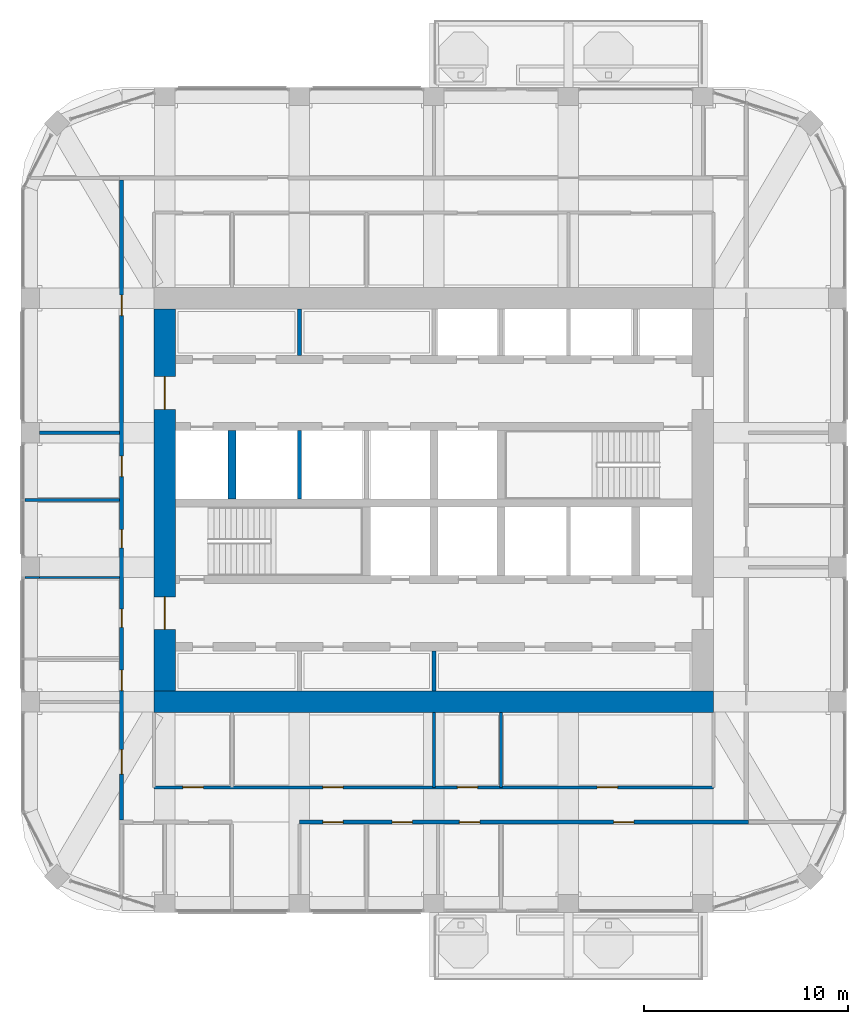
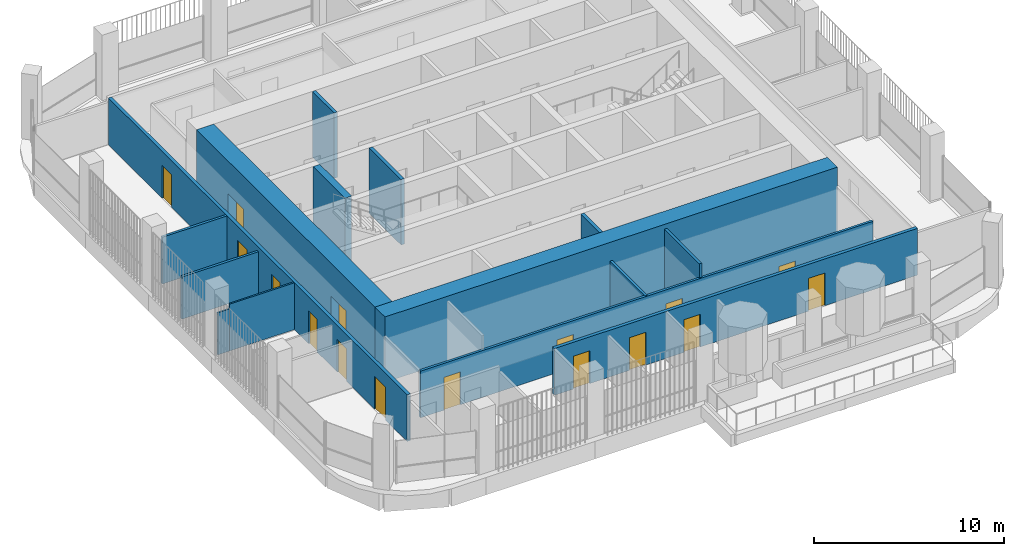
# One storey, part 14 of 21: 16 doors, 15 walls, 16 openings.
"""IFC4 building model written with IfcOpenShell, lengths in metres."""

import ifcopenshell
import ifcopenshell.guid

model = None  # the IFC model being written
_history = None  # IfcOwnerHistory: only IFC2X3 demands one
_inside = {}  # id of a spatial element -> (the spatial element, [elements in it])
_under = {}  # id of a project, library or spatial element -> (it, [spatial elements below it])
_declared = {}  # id of a project -> (the project, [libraries it declares])
_typed = {}  # id of a type object -> (the type object, [elements of that type])
_made_of = {}  # id of a material, layer set ... -> (it, [elements and type objects made of it])


def new_model(schema):
    """Start an empty IFC model of exactly this schema.

    Asked for "IFC4X3", IfcOpenShell would pick the latest addendum, in which some entities
    have other attributes; the version numbers below select the first issue.
    IFC2X3 requires an IfcOwnerHistory on every rooted entity: one is made here for all.
    """
    global model, _history
    if schema == "IFC4X3":
        model = ifcopenshell.file(schema_version=(4, 3, 0, 0))
    else:
        model = ifcopenshell.file(schema=schema)
    _inside.clear()
    _under.clear()
    _declared.clear()
    _typed.clear()
    _made_of.clear()
    _history = None
    if model.schema == "IFC2X3":
        org = make("IfcOrganization", Name="unknown")
        user = make(
            "IfcPersonAndOrganization",
            ThePerson=make("IfcPerson", FamilyName="unknown"),
            TheOrganization=org,
        )
        app = make(
            "IfcApplication",
            ApplicationDeveloper=org,
            Version="unknown",
            ApplicationFullName="unknown",
            ApplicationIdentifier="unknown",
        )
        _history = make(
            "IfcOwnerHistory",
            OwningUser=user,
            OwningApplication=app,
            ChangeAction="ADDED",
            CreationDate=0,
        )
    return model


def make(cls, **values):
    """One entity of the class cls with the attributes given. An attribute that is None is left unset."""
    return model.create_entity(
        cls, **{name: value for name, value in values.items() if value is not None}
    )


def rooted(cls, **values):
    """An entity with a GlobalId (a new one), such as an element, a storey or a relation."""
    return make(cls, GlobalId=ifcopenshell.guid.new(), OwnerHistory=_history, **values)


def si_unit(unit_type, name, prefix=None):
    """IfcSIUnit, for example si_unit("LENGTHUNIT", "METRE", prefix="MILLI")."""
    return make("IfcSIUnit", UnitType=unit_type, Prefix=prefix, Name=name)


def assignment(units):
    """IfcUnitAssignment: the units of a project."""
    return None if units is None else make("IfcUnitAssignment", Units=units)


def point(xyz):
    """IfcCartesianPoint."""
    return None if xyz is None else make("IfcCartesianPoint", Coordinates=xyz)


def direction(xyz):
    """IfcDirection."""
    return None if xyz is None else make("IfcDirection", DirectionRatios=xyz)


def frame(location, z_axis=None, x_axis=None):
    """IfcAxis2Placement3D, a coordinate frame: its origin and axes. An axis left out is left unset."""
    return make(
        "IfcAxis2Placement3D",
        Location=point(location),
        Axis=direction(z_axis),
        RefDirection=direction(x_axis),
    )


def frame_2d(location, x_axis=None):
    """IfcAxis2Placement2D, a coordinate frame in the plane: its origin and x axis."""
    return make(
        "IfcAxis2Placement2D", Location=point(location), RefDirection=direction(x_axis)
    )


def origin():
    """The frame at (0, 0, 0) with its axes left unset."""
    return frame((0.0, 0.0, 0.0))


def place(relative_to, where):
    """IfcLocalPlacement: puts the frame where relative to a parent placement (None: the world)."""
    return make(
        "IfcLocalPlacement", PlacementRelTo=relative_to, RelativePlacement=where
    )


def context(
    kind, dimensions, precision=None, world=None, true_north=None, identifier=None
):
    """IfcGeometricRepresentationContext, for example the 3D "Model" context."""
    return make(
        "IfcGeometricRepresentationContext",
        ContextIdentifier=identifier,
        ContextType=kind,
        CoordinateSpaceDimension=dimensions,
        Precision=precision,
        WorldCoordinateSystem=world,
        TrueNorth=true_north,
    )


def subcontext(parent, identifier, kind, view, scale=None):
    """IfcGeometricRepresentationSubContext, for example "Body" below "Model"."""
    return make(
        "IfcGeometricRepresentationSubContext",
        ContextIdentifier=identifier,
        ContextType=kind,
        ParentContext=parent,
        TargetScale=scale,
        TargetView=view,
    )


def project(units=None, contexts=None):
    """IfcProject with its units and contexts."""
    return rooted(
        "IfcProject",
        Name="project",
        RepresentationContexts=contexts,
        UnitsInContext=assignment(units),
    )


def spatial(cls, under=None, at=None, **own):
    """A site, building, storey or space (cls), placed at a placement, below another one or the project."""
    s = rooted(cls, ObjectPlacement=at, **own)
    if under is not None:
        _under.setdefault(under.id(), (under, []))[1].append(s)
    return s


def profile(cls, at=None, kind="AREA", **sizes):
    """A parametric profile (cls). Its sizes go by their IFC names, for example OverallWidth=200.0."""
    return make(cls, ProfileType=kind, Position=at, **sizes)


def rectangle(**sizes):
    """IfcRectangleProfileDef."""
    return profile("IfcRectangleProfileDef", **sizes)


def extrude(swept, where, along, depth):
    """IfcExtrudedAreaSolid: the profile swept, set in the frame where, extruded along a direction by depth."""
    return make(
        "IfcExtrudedAreaSolid",
        SweptArea=swept,
        Position=where,
        ExtrudedDirection=direction(along),
        Depth=depth,
    )


def shape(context_of_items, identifier, shape_type, items):
    """IfcShapeRepresentation: the items that make up one representation, for example the "Body"."""
    return make(
        "IfcShapeRepresentation",
        ContextOfItems=context_of_items,
        RepresentationIdentifier=identifier,
        RepresentationType=shape_type,
        Items=items,
    )


def material(Name=None, Category=None):
    """IfcMaterial."""
    return make("IfcMaterial", Name=Name, Category=Category)


def layer(
    of_material, thickness, ventilated=None, Name=None, Category=None, Priority=None
):
    """IfcMaterialLayer: one layer of a wall or slab, of a material (None: an air gap)."""
    return make(
        "IfcMaterialLayer",
        Material=of_material,
        LayerThickness=thickness,
        IsVentilated=ventilated,
        Name=Name,
        Category=Category,
        Priority=Priority,
    )


def layer_set(layers, Name=None):
    """IfcMaterialLayerSet."""
    return make("IfcMaterialLayerSet", MaterialLayers=layers, LayerSetName=Name)


def made_of(thing, what):
    """Note that an element or type object is made of a material, layer set ...; save() writes the relation."""
    if what is not None:
        _made_of.setdefault(what.id(), (what, []))[1].append(thing)
    return thing


def type_object(cls, material=None, **own):
    """A type object (cls), such as IfcWallType, which elements share."""
    return made_of(rooted(cls, **own), material)


def element(
    cls,
    number,
    at=None,
    inside=None,
    cuts=None,
    type_object=None,
    material=None,
    context=None,
    identifier="Body",
    shape_type=None,
    held_by="IfcProductDefinitionShape",
    body=None,
    shapes=None,
    **own,
):
    """One element of the class cls, such as IfcWall. Its Tag is "e" and its number.

    at: its placement. inside: the storey or other place that contains it. cuts: it is an
    opening in that element (IfcRelVoidsElement). A single representation is given by context,
    identifier, shape_type and body (its items); several are given by shapes. held_by: the class
    of the entity that holds the representations. save() writes the other relations.
    """
    e = rooted(cls, Tag="e%d" % number, ObjectPlacement=at, **own)
    if body is not None:
        shapes = [shape(context, identifier, shape_type, body)]
    if shapes is not None:
        e.Representation = make(held_by, Representations=shapes)
    if inside is not None:
        _inside.setdefault(inside.id(), (inside, []))[1].append(e)
    if cuts is not None:
        rooted(
            "IfcRelVoidsElement", RelatingBuildingElement=cuts, RelatedOpeningElement=e
        )
    if type_object is not None:
        _typed.setdefault(type_object.id(), (type_object, []))[1].append(e)
    return made_of(e, material)


def fill(opening, filler):
    """IfcRelFillsElement: the door or window that sits in an opening."""
    return rooted(
        "IfcRelFillsElement",
        RelatingOpeningElement=opening,
        RelatedBuildingElement=filler,
    )


def aggregate(whole, parts):
    """IfcRelAggregates: a whole, such as a stair, and the parts it consists of."""
    return rooted("IfcRelAggregates", RelatingObject=whole, RelatedObjects=parts)


def save(model, path):
    """Write the relations noted so far, then the file.

    IfcRelAggregates (storeys below a building ...), IfcRelContainedInSpatialStructure (elements
    in a storey), IfcRelDefinesByType, IfcRelAssociatesMaterial and IfcRelDeclares: one each for
    every whole, place, type object, material and project.
    """
    for whole, parts in _under.values():
        aggregate(whole, parts)
    for where, things in _inside.values():
        rooted(
            "IfcRelContainedInSpatialStructure",
            RelatedElements=things,
            RelatingStructure=where,
        )
    for kind, things in _typed.values():
        rooted("IfcRelDefinesByType", RelatedObjects=things, RelatingType=kind)
    for what, things in _made_of.values():
        rooted("IfcRelAssociatesMaterial", RelatedObjects=things, RelatingMaterial=what)
    for by, libraries in _declared.values():
        rooted("IfcRelDeclares", RelatingContext=by, RelatedDefinitions=libraries)
    model.write(path)


model = new_model("IFC4")

# Units and contexts
model_context = context("Model", 3, precision=1e-05, world=origin(), true_north=direction((0.0, 1.0)))
body_context = subcontext(model_context, "Body", "Model", "MODEL_VIEW")
ifc_project = project(units=[si_unit("LENGTHUNIT", "METRE"), si_unit("AREAUNIT", "SQUARE_METRE"), si_unit("VOLUMEUNIT", "CUBIC_METRE"), si_unit("PLANEANGLEUNIT", "RADIAN"), si_unit("MASSUNIT", "GRAM", prefix="KILO")], contexts=[model_context])

# Site, building, storey
site_placement = place(None, origin())
site = spatial("IfcSite", under=ifc_project, at=site_placement, CompositionType="ELEMENT")
building_placement = place(site_placement, origin())
building = spatial("IfcBuilding", under=site, at=building_placement, Name="Cobogo Forest Laboratory Tower", CompositionType="ELEMENT")
storey_placement = place(building_placement, frame((0.0, 0.0, 258.60009765625)))
storey = spatial("IfcBuildingStorey", under=building, at=storey_placement, Name="L59", CompositionType="ELEMENT", Elevation=258.60009765625)

# Walls
ifc_material_1 = material(Name="Concrete HA-50 (C50/60)", Category="concrete")
ifc_layer_1 = layer(ifc_material_1, 0.39990234375)
ifc_layer_set_1 = layer_set([ifc_layer_1], Name="CI400 core inner wall 400")
wall_type_1 = type_object("IfcWallType", Name="CI400 core inner wall 400", PredefinedType="SHEAR", material=ifc_layer_set_1)
wall_1_placement = place(storey_placement, frame((16.5, 23.14990234375, 0.0), z_axis=(0.0, 0.0, 1.0), x_axis=(0.0, 1.0, 0.0)))
element("IfcWall", 1, at=wall_1_placement, inside=storey, type_object=wall_type_1, Name="Core wall CX-16.5 L59", PredefinedType="SHEAR", context=body_context, shape_type="SweptSolid", body=[
    extrude(rectangle(XDim=3.35009765625, YDim=0.39990234375, at=frame_2d((1.675048828125, 0.0))), origin(), (0.0, 0.0, 1.0), 4.199951171875),
])
ifc_layer_2 = layer(ifc_material_1, 1.050048828125)
ifc_layer_set_2 = layer_set([ifc_layer_2], Name="CW1050 core outer wall 1050")
wall_type_2 = type_object("IfcWallType", Name="CW1050 core outer wall 1050", PredefinedType="SHEAR", material=ifc_layer_set_2)
wall_2_placement = place(storey_placement, frame((12.675048828125, 13.199951171875, 0.0), z_axis=(0.0, 0.0, 1.0), x_axis=(1.0, 0.0, 0.0)))
element("IfcWall", 2, at=wall_2_placement, inside=storey, type_object=wall_type_2, Name="Core wall CO-S L59", PredefinedType="SHEAR", context=body_context, shape_type="SweptSolid", body=[
    extrude(rectangle(XDim=27.449951171875, YDim=1.050048828125, at=frame_2d((13.72509765625, 0.0))), origin(), (0.0, 0.0, 1.0), 4.199951171875),
])

# Wall, openings, doors
wall_3_placement = place(storey_placement, frame((13.199951171875, 32.47509765625, 0.0), z_axis=(0.0, 0.0, 1.0), x_axis=(0.0, -1.0, 0.0)))
wall_3 = element("IfcWall", 3, at=wall_3_placement, inside=storey, type_object=wall_type_2, Name="Core wall CO-W L59", PredefinedType="SHEAR", context=body_context, shape_type="SweptSolid", body=[
    extrude(rectangle(XDim=18.75, YDim=1.050048828125, at=frame_2d((9.375, 0.0))), origin(), (0.0, 0.0, 1.0), 4.199951171875),
])
opening_1_placement = place(wall_3_placement, frame((14.125, 0.0, 0.0)))
opening_1 = element("IfcOpeningElement", 4, at=opening_1_placement, cuts=wall_3, Name="Opening L59-D24", PredefinedType="OPENING", context=body_context, shape_type="SweptSolid", body=[
    extrude(rectangle(XDim=1.60009765625, YDim=2.10009765625, at=frame_2d((0.800048828125, 1.050048828125))), frame((0.0, 0.534912109375, 0.0), z_axis=(0.0, -1.0, 0.0), x_axis=(1.0, 0.0, 0.0)), (0.0, 0.0, 1.0), 1.070068359375),
])
opening_2_placement = place(wall_3_placement, frame((3.324951171875, 0.0, 0.0)))
opening_2 = element("IfcOpeningElement", 5, at=opening_2_placement, cuts=wall_3, Name="Opening L59-D34", PredefinedType="OPENING", context=body_context, shape_type="SweptSolid", body=[
    extrude(rectangle(XDim=1.60009765625, YDim=2.10009765625, at=frame_2d((0.800048828125, 1.050048828125))), frame((0.0, 0.534912109375, 0.0), z_axis=(0.0, -1.0, 0.0), x_axis=(1.0, 0.0, 0.0)), (0.0, 0.0, 1.0), 1.070068359375),
])
ifc_material_2 = material(Name="Steel fire door", Category="steel")
door_type_1 = type_object("IfcDoorType", Name="DS2 protected lobby door pair 1600 EI2 60", OperationType="DOUBLE_DOOR_DOUBLE_SWING", PredefinedType="DOOR", material=ifc_material_2)
door_1_placement = place(opening_1_placement, origin())
door_1 = element("IfcDoor", 6, at=door_1_placement, inside=storey, type_object=door_type_1, Name="Door L59-CO-W-S", OperationType="DOUBLE_DOOR_DOUBLE_SWING", OverallHeight=2.10009765625, OverallWidth=1.60009765625, PredefinedType="DOOR", context=body_context, shape_type="SweptSolid", body=[
    extrude(rectangle(XDim=1.60009765625, YDim=2.10009765625, at=frame_2d((0.800048828125, 1.050048828125))), frame((0.0, 0.02490234375, 0.0), z_axis=(0.0, -1.0, 0.0), x_axis=(1.0, 0.0, 0.0)), (0.0, 0.0, 1.0), 0.050048828125),
])
fill(opening_1, door_1)
door_2_placement = place(opening_2_placement, origin())
door_2 = element("IfcDoor", 7, at=door_2_placement, inside=storey, type_object=door_type_1, Name="Door L59-CO-W-N", OperationType="DOUBLE_DOOR_DOUBLE_SWING", OverallHeight=2.10009765625, OverallWidth=1.60009765625, PredefinedType="DOOR", context=body_context, shape_type="SweptSolid", body=[
    extrude(rectangle(XDim=1.60009765625, YDim=2.10009765625, at=frame_2d((0.800048828125, 1.050048828125))), frame((0.0, 0.02490234375, 0.0), z_axis=(0.0, -1.0, 0.0), x_axis=(1.0, 0.0, 0.0)), (0.0, 0.0, 1.0), 0.050048828125),
])
fill(opening_2, door_2)

ifc_material_3 = material(Name="Gypsum board on steel studs", Category="steel")
ifc_layer_3 = layer(ifc_material_3, 0.14990234375)
ifc_layer_set_3 = layer_set([ifc_layer_3], Name="PT1 laboratory partition 150")
wall_type_3 = type_object("IfcWallType", Name="PT1 laboratory partition 150", PredefinedType="PARTITIONING", material=ifc_layer_set_3)
wall_4_placement = place(storey_placement, frame((12.675048828125, 9.0, 0.0), z_axis=(0.0, 0.0, 1.0), x_axis=(1.0, 0.0, 0.0)))
wall_4 = element("IfcWall", 8, at=wall_4_placement, inside=storey, type_object=wall_type_3, Name="Partition CSTRIP-S L59", PredefinedType="PARTITIONING", context=body_context, shape_type="SweptSolid", body=[
    extrude(rectangle(XDim=27.449951171875, YDim=0.14990234375, at=frame_2d((13.72509765625, 0.0))), origin(), (0.0, 0.0, 1.0), 3.0),
])
opening_3_placement = place(wall_4_placement, frame((1.41259765625, 0.0, 0.0)))
opening_3 = element("IfcOpeningElement", 9, at=opening_3_placement, cuts=wall_4, Name="Opening L59-D08", PredefinedType="OPENING", context=body_context, shape_type="SweptSolid", body=[
    extrude(rectangle(XDim=1.0, YDim=2.10009765625, at=frame_2d((0.5, 1.050048828125))), frame((0.0, 0.0849609375, 0.0), z_axis=(0.0, -1.0, 0.0), x_axis=(1.0, 0.0, 0.0)), (0.0, 0.0, 1.0), 0.169921875),
])
opening_4_placement = place(wall_4_placement, frame((8.27490234375, 0.0, 0.0)))
opening_4 = element("IfcOpeningElement", 10, at=opening_4_placement, cuts=wall_4, Name="Opening L59-D09", PredefinedType="OPENING", context=body_context, shape_type="SweptSolid", body=[
    extrude(rectangle(XDim=1.0, YDim=2.10009765625, at=frame_2d((0.5, 1.050048828125))), frame((0.0, 0.0849609375, 0.0), z_axis=(0.0, -1.0, 0.0), x_axis=(1.0, 0.0, 0.0)), (0.0, 0.0, 1.0), 0.169921875),
])
opening_5_placement = place(wall_4_placement, frame((14.875, 0.0, 0.0)))
opening_5 = element("IfcOpeningElement", 11, at=opening_5_placement, cuts=wall_4, Name="Opening L59-D10", PredefinedType="OPENING", context=body_context, shape_type="SweptSolid", body=[
    extrude(rectangle(XDim=1.0, YDim=2.10009765625, at=frame_2d((0.5, 1.050048828125))), frame((0.0, 0.0849609375, 0.0), z_axis=(0.0, -1.0, 0.0), x_axis=(1.0, 0.0, 0.0)), (0.0, 0.0, 1.0), 0.169921875),
])
opening_6_placement = place(wall_4_placement, frame((21.737548828125, 0.0, 0.0)))
opening_6 = element("IfcOpeningElement", 12, at=opening_6_placement, cuts=wall_4, Name="Opening L59-D11", PredefinedType="OPENING", context=body_context, shape_type="SweptSolid", body=[
    extrude(rectangle(XDim=1.0, YDim=2.10009765625, at=frame_2d((0.5, 1.050048828125))), frame((0.0, 0.0849609375, 0.0), z_axis=(0.0, -1.0, 0.0), x_axis=(1.0, 0.0, 0.0)), (0.0, 0.0, 1.0), 0.169921875),
])
ifc_material_4 = material(Name="Timber fire door", Category="wood")
door_type_2 = type_object("IfcDoorType", Name="FD2 fire door 1000 EI2 30", OperationType="SINGLE_SWING_LEFT", PredefinedType="DOOR", material=ifc_material_4)
door_3_placement = place(opening_3_placement, origin())
door_3 = element("IfcDoor", 13, at=door_3_placement, inside=storey, type_object=door_type_2, Name="Door L59-CSS1", OperationType="SINGLE_SWING_LEFT", OverallHeight=2.10009765625, OverallWidth=1.0, PredefinedType="DOOR", context=body_context, shape_type="SweptSolid", body=[
    extrude(rectangle(XDim=1.0, YDim=2.10009765625, at=frame_2d((0.5, 1.050048828125))), frame((0.0, 0.02490234375, 0.0), z_axis=(0.0, -1.0, 0.0), x_axis=(1.0, 0.0, 0.0)), (0.0, 0.0, 1.0), 0.050048828125),
])
fill(opening_3, door_3)
door_4_placement = place(opening_4_placement, origin())
door_4 = element("IfcDoor", 14, at=door_4_placement, inside=storey, type_object=door_type_2, Name="Door L59-CSS2", OperationType="SINGLE_SWING_LEFT", OverallHeight=2.10009765625, OverallWidth=1.0, PredefinedType="DOOR", context=body_context, shape_type="SweptSolid", body=[
    extrude(rectangle(XDim=1.0, YDim=2.10009765625, at=frame_2d((0.5, 1.050048828125))), frame((0.0, 0.02490234375, 0.0), z_axis=(0.0, -1.0, 0.0), x_axis=(1.0, 0.0, 0.0)), (0.0, 0.0, 1.0), 0.050048828125),
])
fill(opening_4, door_4)
door_5_placement = place(opening_5_placement, origin())
door_5 = element("IfcDoor", 15, at=door_5_placement, inside=storey, type_object=door_type_2, Name="Door L59-CSS3", OperationType="SINGLE_SWING_RIGHT", OverallHeight=2.10009765625, OverallWidth=1.0, PredefinedType="DOOR", context=body_context, shape_type="SweptSolid", body=[
    extrude(rectangle(XDim=1.0, YDim=2.10009765625, at=frame_2d((0.5, 1.050048828125))), frame((0.0, 0.02490234375, 0.0), z_axis=(0.0, -1.0, 0.0), x_axis=(1.0, 0.0, 0.0)), (0.0, 0.0, 1.0), 0.050048828125),
])
fill(opening_5, door_5)
door_6_placement = place(opening_6_placement, origin())
door_6 = element("IfcDoor", 16, at=door_6_placement, inside=storey, type_object=door_type_2, Name="Door L59-CSS4", OperationType="SINGLE_SWING_RIGHT", OverallHeight=2.10009765625, OverallWidth=1.0, PredefinedType="DOOR", context=body_context, shape_type="SweptSolid", body=[
    extrude(rectangle(XDim=1.0, YDim=2.10009765625, at=frame_2d((0.5, 1.050048828125))), frame((0.0, 0.02490234375, 0.0), z_axis=(0.0, -1.0, 0.0), x_axis=(1.0, 0.0, 0.0)), (0.0, 0.0, 1.0), 0.050048828125),
])
fill(opening_6, door_6)

# Walls
wall_5_placement = place(storey_placement, frame((26.39990234375, 12.675048828125, 0.0), z_axis=(0.0, 0.0, 1.0), x_axis=(0.0, -1.0, 0.0)))
element("IfcWall", 17, at=wall_5_placement, inside=storey, type_object=wall_type_3, Name="Partition CSTRIP-S26.4 L59", PredefinedType="PARTITIONING", context=body_context, shape_type="SweptSolid", body=[
    extrude(rectangle(XDim=3.675048828125, YDim=0.14990234375, at=frame_2d((1.83740234375, 0.0))), origin(), (0.0, 0.0, 1.0), 3.0),
])
wall_6_placement = place(storey_placement, frame((29.699951171875, 12.675048828125, 0.0), z_axis=(0.0, 0.0, 1.0), x_axis=(0.0, -1.0, 0.0)))
element("IfcWall", 18, at=wall_6_placement, inside=storey, type_object=wall_type_3, Name="Partition CSTRIP-S29.7 L59", PredefinedType="PARTITIONING", context=body_context, shape_type="SweptSolid", body=[
    extrude(rectangle(XDim=3.675048828125, YDim=0.14990234375, at=frame_2d((1.83740234375, 0.0))), origin(), (0.0, 0.0, 1.0), 3.89990234375),
])
wall_7_placement = place(storey_placement, frame((6.330078125, 23.10009765625, 0.0), z_axis=(0.0, 0.0, 1.0), x_axis=(1.0, 0.0, 0.0)))
element("IfcWall", 19, at=wall_7_placement, inside=storey, type_object=wall_type_3, Name="Partition SVC-W3-1 L59", PredefinedType="PARTITIONING", context=body_context, shape_type="SweptSolid", body=[
    extrude(rectangle(XDim=4.64501953125, YDim=0.14990234375, at=frame_2d((2.322509765625, 0.0))), origin(), (0.0, 0.0, 1.0), 2.699951171875),
])
wall_8_placement = place(storey_placement, frame((7.050048828125, 26.39990234375, 0.0), z_axis=(0.0, 0.0, 1.0), x_axis=(1.0, 0.0, 0.0)))
element("IfcWall", 20, at=wall_8_placement, inside=storey, type_object=wall_type_3, Name="Partition CUT-W26.4-1 L59", PredefinedType="PARTITIONING", context=body_context, shape_type="SweptSolid", body=[
    extrude(rectangle(XDim=3.925048828125, YDim=0.14990234375, at=frame_2d((1.96240234375, 0.0))), origin(), (0.0, 0.0, 1.0), 3.0),
])

# Wall, openings, doors
ifc_layer_4 = layer(ifc_material_3, 0.199951171875)
ifc_layer_set_4 = layer_set([ifc_layer_4], Name="PT2 fire-rated corridor partition 200")
wall_type_4 = type_object("IfcWallType", Name="PT2 fire-rated corridor partition 200", PredefinedType="PARTITIONING", material=ifc_layer_set_4)
wall_9_placement = place(storey_placement, frame((19.800048828125, 7.300048828125, 0.0), z_axis=(0.0, 0.0, 1.0), x_axis=(1.0, 0.0, 0.0)))
wall_9 = element("IfcWall", 21, at=wall_9_placement, inside=storey, type_object=wall_type_4, Name="Partition CORR-S-2 L59", PredefinedType="PARTITIONING", context=body_context, shape_type="SweptSolid", body=[
    extrude(rectangle(XDim=22.02490234375, YDim=0.199951171875, at=frame_2d((11.012451171875, 0.0))), origin(), (0.0, 0.0, 1.0), 3.0),
])
opening_7_placement = place(wall_9_placement, frame((1.14990234375, 0.0, 0.0)))
opening_7 = element("IfcOpeningElement", 22, at=opening_7_placement, cuts=wall_9, Name="Opening L59-D04", PredefinedType="OPENING", context=body_context, shape_type="SweptSolid", body=[
    extrude(rectangle(XDim=1.0, YDim=2.10009765625, at=frame_2d((0.5, 1.050048828125))), frame((0.0, 0.10986328125, 0.0), z_axis=(0.0, -1.0, 0.0), x_axis=(1.0, 0.0, 0.0)), (0.0, 0.0, 1.0), 0.219970703125),
])
opening_8_placement = place(wall_9_placement, frame((4.550048828125, 0.0, 0.0)))
opening_8 = element("IfcOpeningElement", 23, at=opening_8_placement, cuts=wall_9, Name="Opening L59-D05", PredefinedType="OPENING", context=body_context, shape_type="SweptSolid", body=[
    extrude(rectangle(XDim=1.0, YDim=2.10009765625, at=frame_2d((0.5, 1.050048828125))), frame((0.0, 0.10986328125, 0.0), z_axis=(0.0, -1.0, 0.0), x_axis=(1.0, 0.0, 0.0)), (0.0, 0.0, 1.0), 0.219970703125),
])
opening_9_placement = place(wall_9_placement, frame((7.85009765625, 0.0, 0.0)))
opening_9 = element("IfcOpeningElement", 24, at=opening_9_placement, cuts=wall_9, Name="Opening L59-D06", PredefinedType="OPENING", context=body_context, shape_type="SweptSolid", body=[
    extrude(rectangle(XDim=1.0, YDim=2.10009765625, at=frame_2d((0.5, 1.050048828125))), frame((0.0, 0.10986328125, 0.0), z_axis=(0.0, -1.0, 0.0), x_axis=(1.0, 0.0, 0.0)), (0.0, 0.0, 1.0), 0.219970703125),
])
opening_10_placement = place(wall_9_placement, frame((15.41259765625, 0.0, 0.0)))
opening_10 = element("IfcOpeningElement", 25, at=opening_10_placement, cuts=wall_9, Name="Opening L59-D07", PredefinedType="OPENING", context=body_context, shape_type="SweptSolid", body=[
    extrude(rectangle(XDim=1.0, YDim=2.10009765625, at=frame_2d((0.5, 1.050048828125))), frame((0.0, 0.10986328125, 0.0), z_axis=(0.0, -1.0, 0.0), x_axis=(1.0, 0.0, 0.0)), (0.0, 0.0, 1.0), 0.219970703125),
])
door_7_placement = place(opening_7_placement, origin())
door_7 = element("IfcDoor", 26, at=door_7_placement, inside=storey, type_object=door_type_2, Name="Door L59-S4", OperationType="SINGLE_SWING_LEFT", OverallHeight=2.10009765625, OverallWidth=1.0, PredefinedType="DOOR", context=body_context, shape_type="SweptSolid", body=[
    extrude(rectangle(XDim=1.0, YDim=2.10009765625, at=frame_2d((0.5, 1.050048828125))), frame((0.0, 0.02490234375, 0.0), z_axis=(0.0, -1.0, 0.0), x_axis=(1.0, 0.0, 0.0)), (0.0, 0.0, 1.0), 0.050048828125),
])
fill(opening_7, door_7)
door_8_placement = place(opening_8_placement, origin())
door_8 = element("IfcDoor", 27, at=door_8_placement, inside=storey, type_object=door_type_2, Name="Door L59-MTG", OperationType="SINGLE_SWING_LEFT", OverallHeight=2.10009765625, OverallWidth=1.0, PredefinedType="DOOR", context=body_context, shape_type="SweptSolid", body=[
    extrude(rectangle(XDim=1.0, YDim=2.10009765625, at=frame_2d((0.5, 1.050048828125))), frame((0.0, 0.02490234375, 0.0), z_axis=(0.0, -1.0, 0.0), x_axis=(1.0, 0.0, 0.0)), (0.0, 0.0, 1.0), 0.050048828125),
])
fill(opening_8, door_8)
door_9_placement = place(opening_9_placement, origin())
door_9 = element("IfcDoor", 28, at=door_9_placement, inside=storey, type_object=door_type_2, Name="Door L59-PAN", OperationType="SINGLE_SWING_LEFT", OverallHeight=2.10009765625, OverallWidth=1.0, PredefinedType="DOOR", context=body_context, shape_type="SweptSolid", body=[
    extrude(rectangle(XDim=1.0, YDim=2.10009765625, at=frame_2d((0.5, 1.050048828125))), frame((0.0, 0.02490234375, 0.0), z_axis=(0.0, -1.0, 0.0), x_axis=(1.0, 0.0, 0.0)), (0.0, 0.0, 1.0), 0.050048828125),
])
fill(opening_9, door_9)
door_10_placement = place(opening_10_placement, origin())
door_10 = element("IfcDoor", 29, at=door_10_placement, inside=storey, type_object=door_type_2, Name="Door L59-S5", OperationType="SINGLE_SWING_RIGHT", OverallHeight=2.10009765625, OverallWidth=1.0, PredefinedType="DOOR", context=body_context, shape_type="SweptSolid", body=[
    extrude(rectangle(XDim=1.0, YDim=2.10009765625, at=frame_2d((0.5, 1.050048828125))), frame((0.0, 0.02490234375, 0.0), z_axis=(0.0, -1.0, 0.0), x_axis=(1.0, 0.0, 0.0)), (0.0, 0.0, 1.0), 0.050048828125),
])
fill(opening_10, door_10)

wall_10_placement = place(storey_placement, frame((11.074951171875, 7.39990234375, 0.0), z_axis=(0.0, 0.0, 1.0), x_axis=(0.0, 1.0, 0.0)))
wall_10 = element("IfcWall", 30, at=wall_10_placement, inside=storey, type_object=wall_type_4, Name="Partition CORR-W L59", PredefinedType="PARTITIONING", context=body_context, shape_type="SweptSolid", body=[
    extrude(rectangle(XDim=31.400146484375, YDim=0.199951171875, at=frame_2d((15.7001953125, 0.0))), origin(), (0.0, 0.0, 1.0), 3.0),
])
opening_11_placement = place(wall_10_placement, frame((2.25, 0.0, 0.0)))
opening_11 = element("IfcOpeningElement", 31, at=opening_11_placement, cuts=wall_10, Name="Opening L59-D12", PredefinedType="OPENING", context=body_context, shape_type="SweptSolid", body=[
    extrude(rectangle(XDim=1.199951171875, YDim=2.10009765625, at=frame_2d((0.60009765625, 1.050048828125))), frame((0.0, 0.10986328125, 0.0), z_axis=(0.0, -1.0, 0.0), x_axis=(1.0, 0.0, 0.0)), (0.0, 0.0, 1.0), 0.219970703125),
])
opening_12_placement = place(wall_10_placement, frame((6.35009765625, 0.0, 0.0)))
opening_12 = element("IfcOpeningElement", 32, at=opening_12_placement, cuts=wall_10, Name="Opening L59-D14", PredefinedType="OPENING", context=body_context, shape_type="SweptSolid", body=[
    extrude(rectangle(XDim=1.0, YDim=2.10009765625, at=frame_2d((0.5, 1.050048828125))), frame((0.0, 0.10986328125, 0.0), z_axis=(0.0, -1.0, 0.0), x_axis=(1.0, 0.0, 0.0)), (0.0, 0.0, 1.0), 0.219970703125),
])
opening_13_placement = place(wall_10_placement, frame((9.449951171875, 0.0, 0.0)))
opening_13 = element("IfcOpeningElement", 33, at=opening_13_placement, cuts=wall_10, Name="Opening L59-D23", PredefinedType="OPENING", context=body_context, shape_type="SweptSolid", body=[
    extrude(rectangle(XDim=0.89990234375, YDim=2.10009765625, at=frame_2d((0.449951171875, 1.050048828125))), frame((0.0, 0.10986328125, 0.0), z_axis=(0.0, -1.0, 0.0), x_axis=(1.0, 0.0, 0.0)), (0.0, 0.0, 1.0), 0.219970703125),
])
opening_14_placement = place(wall_10_placement, frame((13.35009765625, 0.0, 0.0)))
opening_14 = element("IfcOpeningElement", 34, at=opening_14_placement, cuts=wall_10, Name="Opening L59-D29", PredefinedType="OPENING", context=body_context, shape_type="SweptSolid", body=[
    extrude(rectangle(XDim=0.89990234375, YDim=2.10009765625, at=frame_2d((0.449951171875, 1.050048828125))), frame((0.0, 0.10986328125, 0.0), z_axis=(0.0, -1.0, 0.0), x_axis=(1.0, 0.0, 0.0)), (0.0, 0.0, 1.0), 0.219970703125),
])
opening_15_placement = place(wall_10_placement, frame((16.85009765625, 0.0, 0.0)))
opening_15 = element("IfcOpeningElement", 35, at=opening_15_placement, cuts=wall_10, Name="Opening L59-D32", PredefinedType="OPENING", context=body_context, shape_type="SweptSolid", body=[
    extrude(rectangle(XDim=1.0, YDim=2.10009765625, at=frame_2d((0.5, 1.050048828125))), frame((0.0, 0.10986328125, 0.0), z_axis=(0.0, -1.0, 0.0), x_axis=(1.0, 0.0, 0.0)), (0.0, 0.0, 1.0), 0.219970703125),
])
opening_16_placement = place(wall_10_placement, frame((24.75, 0.0, 0.0)))
opening_16 = element("IfcOpeningElement", 36, at=opening_16_placement, cuts=wall_10, Name="Opening L59-D40", PredefinedType="OPENING", context=body_context, shape_type="SweptSolid", body=[
    extrude(rectangle(XDim=1.0, YDim=2.10009765625, at=frame_2d((0.5, 1.050048828125))), frame((0.0, 0.10986328125, 0.0), z_axis=(0.0, -1.0, 0.0), x_axis=(1.0, 0.0, 0.0)), (0.0, 0.0, 1.0), 0.219970703125),
])
ifc_material_5 = material(Name="Timber door", Category="wood")
door_type_3 = type_object("IfcDoorType", Name="D2 laboratory door 1200 unequal pair", OperationType="DOUBLE_DOOR_SINGLE_SWING", PredefinedType="DOOR", material=ifc_material_5)
door_11_placement = place(opening_11_placement, origin())
door_11 = element("IfcDoor", 37, at=door_11_placement, inside=storey, type_object=door_type_3, Name="Door L59-W1", OperationType="DOUBLE_DOOR_SINGLE_SWING", OverallHeight=2.10009765625, OverallWidth=1.199951171875, PredefinedType="DOOR", context=body_context, shape_type="SweptSolid", body=[
    extrude(rectangle(XDim=1.199951171875, YDim=2.10009765625, at=frame_2d((0.60009765625, 1.050048828125))), frame((0.0, 0.02490234375, 0.0), z_axis=(0.0, -1.0, 0.0), x_axis=(1.0, 0.0, 0.0)), (0.0, 0.0, 1.0), 0.050048828125),
])
fill(opening_11, door_11)
door_12_placement = place(opening_15_placement, origin())
door_12 = element("IfcDoor", 38, at=door_12_placement, inside=storey, type_object=door_type_2, Name="Door L59-W2", OperationType="SINGLE_SWING_RIGHT", OverallHeight=2.10009765625, OverallWidth=1.0, PredefinedType="DOOR", context=body_context, shape_type="SweptSolid", body=[
    extrude(rectangle(XDim=1.0, YDim=2.10009765625, at=frame_2d((0.5, 1.050048828125))), frame((0.0, 0.02490234375, 0.0), z_axis=(0.0, -1.0, 0.0), x_axis=(1.0, 0.0, 0.0)), (0.0, 0.0, 1.0), 0.050048828125),
])
fill(opening_15, door_12)
door_13_placement = place(opening_16_placement, origin())
door_13 = element("IfcDoor", 39, at=door_13_placement, inside=storey, type_object=door_type_2, Name="Door L59-W3", OperationType="SINGLE_SWING_RIGHT", OverallHeight=2.10009765625, OverallWidth=1.0, PredefinedType="DOOR", context=body_context, shape_type="SweptSolid", body=[
    extrude(rectangle(XDim=1.0, YDim=2.10009765625, at=frame_2d((0.5, 1.050048828125))), frame((0.0, 0.02490234375, 0.0), z_axis=(0.0, -1.0, 0.0), x_axis=(1.0, 0.0, 0.0)), (0.0, 0.0, 1.0), 0.050048828125),
])
fill(opening_16, door_13)
door_type_4 = type_object("IfcDoorType", Name="FD3 toilet fire door 900 EI2 30", OperationType="SINGLE_SWING_LEFT", PredefinedType="DOOR", material=ifc_material_4)
door_14_placement = place(opening_13_placement, origin())
door_14 = element("IfcDoor", 40, at=door_14_placement, inside=storey, type_object=door_type_4, Name="Door L59-WCF", OperationType="SINGLE_SWING_LEFT", OverallHeight=2.10009765625, OverallWidth=0.89990234375, PredefinedType="DOOR", context=body_context, shape_type="SweptSolid", body=[
    extrude(rectangle(XDim=0.89990234375, YDim=2.10009765625, at=frame_2d((0.449951171875, 1.050048828125))), frame((0.0, 0.02490234375, 0.0), z_axis=(0.0, -1.0, 0.0), x_axis=(1.0, 0.0, 0.0)), (0.0, 0.0, 1.0), 0.050048828125),
])
fill(opening_13, door_14)
door_15_placement = place(opening_14_placement, origin())
door_15 = element("IfcDoor", 41, at=door_15_placement, inside=storey, type_object=door_type_4, Name="Door L59-WCM", OperationType="SINGLE_SWING_LEFT", OverallHeight=2.10009765625, OverallWidth=0.89990234375, PredefinedType="DOOR", context=body_context, shape_type="SweptSolid", body=[
    extrude(rectangle(XDim=0.89990234375, YDim=2.10009765625, at=frame_2d((0.449951171875, 1.050048828125))), frame((0.0, 0.02490234375, 0.0), z_axis=(0.0, -1.0, 0.0), x_axis=(1.0, 0.0, 0.0)), (0.0, 0.0, 1.0), 0.050048828125),
])
fill(opening_14, door_15)
door_type_5 = type_object("IfcDoorType", Name="FDA1 accessible toilet fire door 1000 EI2 30", OperationType="SINGLE_SWING_RIGHT", PredefinedType="DOOR", material=ifc_material_4)
door_16_placement = place(opening_12_placement, origin())
door_16 = element("IfcDoor", 42, at=door_16_placement, inside=storey, type_object=door_type_5, Name="Door L59-WCA", OperationType="SINGLE_SWING_LEFT", OverallHeight=2.10009765625, OverallWidth=1.0, PredefinedType="DOOR", context=body_context, shape_type="SweptSolid", body=[
    extrude(rectangle(XDim=1.0, YDim=2.10009765625, at=frame_2d((0.5, 1.050048828125))), frame((0.0, 0.02490234375, 0.0), z_axis=(0.0, -1.0, 0.0), x_axis=(1.0, 0.0, 0.0)), (0.0, 0.0, 1.0), 0.050048828125),
])
fill(opening_12, door_16)

# Walls
ifc_layer_5 = layer(ifc_material_3, 0.10009765625)
ifc_layer_set_5 = layer_set([ifc_layer_5], Name="PT3 toilet partition 100")
wall_type_5 = type_object("IfcWallType", Name="PT3 toilet partition 100", PredefinedType="PARTITIONING", material=ifc_layer_set_5)
wall_11_placement = place(storey_placement, frame((6.330078125, 19.300048828125, 0.0), z_axis=(0.0, 0.0, 1.0), x_axis=(1.0, 0.0, 0.0)))
element("IfcWall", 43, at=wall_11_placement, inside=storey, type_object=wall_type_5, Name="Partition SVC-W2-1 L59", PredefinedType="PARTITIONING", context=body_context, shape_type="SweptSolid", body=[
    extrude(rectangle(XDim=0.719970703125, YDim=0.10009765625, at=frame_2d((0.35986328125, 0.0))), origin(), (0.0, 0.0, 1.0), 2.699951171875),
])
wall_12_placement = place(storey_placement, frame((7.050048828125, 19.300048828125, 0.0), z_axis=(0.0, 0.0, 1.0), x_axis=(1.0, 0.0, 0.0)))
element("IfcWall", 44, at=wall_12_placement, inside=storey, type_object=wall_type_5, Name="Partition SVC-W2-2 L59", PredefinedType="PARTITIONING", context=body_context, shape_type="SweptSolid", body=[
    extrude(rectangle(XDim=3.925048828125, YDim=0.10009765625, at=frame_2d((1.96240234375, 0.0))), origin(), (0.0, 0.0, 1.0), 3.0),
])
ifc_material_6 = material(Name="Concrete block", Category="concrete")
ifc_layer_6 = layer(ifc_material_6, 0.199951171875)
ifc_layer_set_6 = layer_set([ifc_layer_6], Name="SW200 lift shaft separator 200")
wall_type_6 = type_object("IfcWallType", Name="SW200 lift shaft separator 200", PredefinedType="PARTITIONING", material=ifc_layer_set_6)
wall_13_placement = place(storey_placement, frame((19.800048828125, 30.199951171875, 0.0), z_axis=(0.0, 0.0, 1.0), x_axis=(0.0, 1.0, 0.0)))
element("IfcWall", 45, at=wall_13_placement, inside=storey, type_object=wall_type_6, Name="Core wall SEP-N2 L59", PredefinedType="PARTITIONING", context=body_context, shape_type="SweptSolid", body=[
    extrude(rectangle(XDim=2.275146484375, YDim=0.199951171875, at=frame_2d((1.1376953125, 0.0))), origin(), (0.0, 0.0, 1.0), 4.199951171875),
])
wall_14_placement = place(storey_placement, frame((26.39990234375, 13.72509765625, 0.0), z_axis=(0.0, 0.0, 1.0), x_axis=(0.0, 1.0, 0.0)))
element("IfcWall", 46, at=wall_14_placement, inside=storey, type_object=wall_type_6, Name="Core wall SEP-S4 L59", PredefinedType="PARTITIONING", context=body_context, shape_type="SweptSolid", body=[
    extrude(rectangle(XDim=1.974853515625, YDim=0.199951171875, at=frame_2d((0.9873046875, 0.0))), origin(), (0.0, 0.0, 1.0), 4.199951171875),
])
wall_15_placement = place(storey_placement, frame((19.800048828125, 23.14990234375, 0.0), z_axis=(0.0, 0.0, 1.0), x_axis=(0.0, 1.0, 0.0)))
element("IfcWall", 47, at=wall_15_placement, inside=storey, type_object=wall_type_6, Name="Core wall SEP-M19.8 L59", PredefinedType="PARTITIONING", context=body_context, shape_type="SweptSolid", body=[
    extrude(rectangle(XDim=3.35009765625, YDim=0.199951171875, at=frame_2d((1.675048828125, 0.0))), origin(), (0.0, 0.0, 1.0), 4.199951171875),
])

save(model, "model.ifc")
